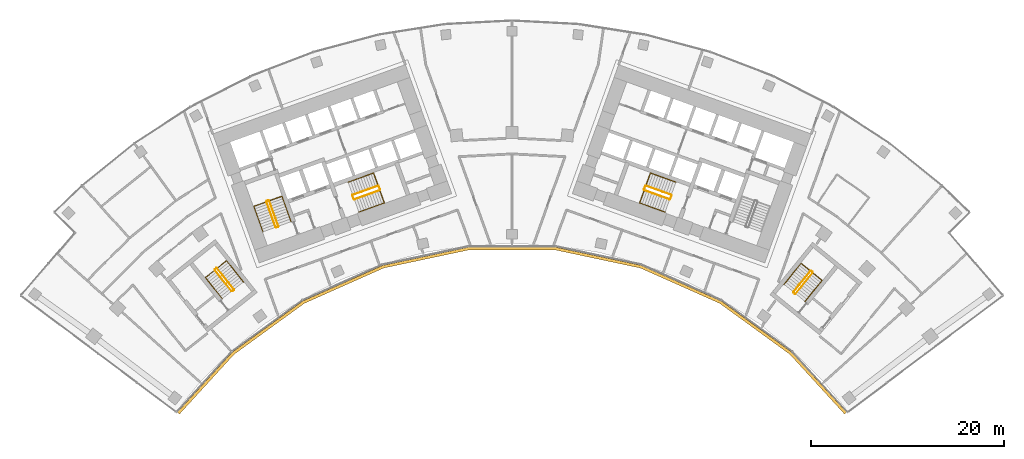
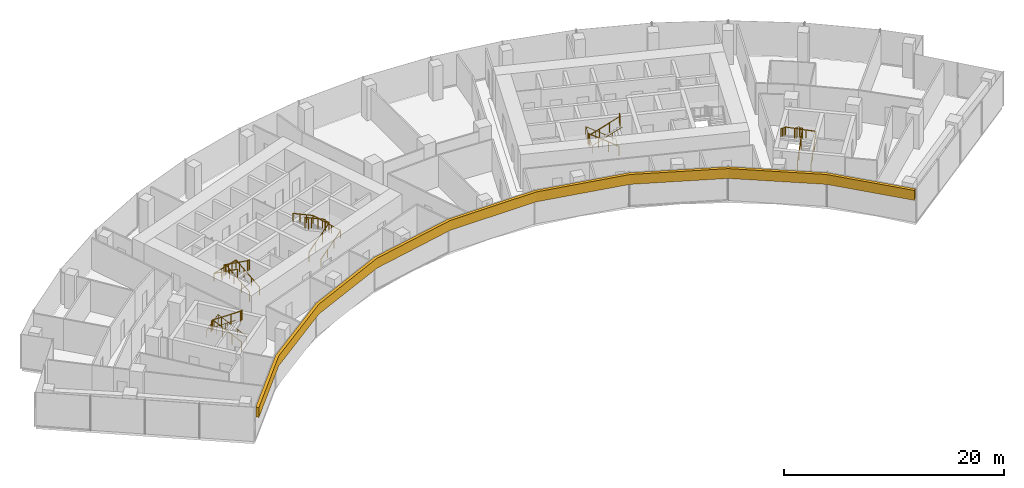
# One storey, part 19 of 20: 15 railings, 1 covering.
"""IFC4 building model written with IfcOpenShell, lengths in metres."""

import ifcopenshell
import ifcopenshell.guid

model = None  # the IFC model being written
_history = None  # IfcOwnerHistory: only IFC2X3 demands one
_inside = {}  # id of a spatial element -> (the spatial element, [elements in it])
_under = {}  # id of a project, library or spatial element -> (it, [spatial elements below it])
_declared = {}  # id of a project -> (the project, [libraries it declares])
_typed = {}  # id of a type object -> (the type object, [elements of that type])
_made_of = {}  # id of a material, layer set ... -> (it, [elements and type objects made of it])


def new_model(schema):
    """Start an empty IFC model of exactly this schema.

    Asked for "IFC4X3", IfcOpenShell would pick the latest addendum, in which some entities
    have other attributes; the version numbers below select the first issue.
    IFC2X3 requires an IfcOwnerHistory on every rooted entity: one is made here for all.
    """
    global model, _history
    if schema == "IFC4X3":
        model = ifcopenshell.file(schema_version=(4, 3, 0, 0))
    else:
        model = ifcopenshell.file(schema=schema)
    _inside.clear()
    _under.clear()
    _declared.clear()
    _typed.clear()
    _made_of.clear()
    _history = None
    if model.schema == "IFC2X3":
        org = make("IfcOrganization", Name="unknown")
        user = make(
            "IfcPersonAndOrganization",
            ThePerson=make("IfcPerson", FamilyName="unknown"),
            TheOrganization=org,
        )
        app = make(
            "IfcApplication",
            ApplicationDeveloper=org,
            Version="unknown",
            ApplicationFullName="unknown",
            ApplicationIdentifier="unknown",
        )
        _history = make(
            "IfcOwnerHistory",
            OwningUser=user,
            OwningApplication=app,
            ChangeAction="ADDED",
            CreationDate=0,
        )
    return model


def make(cls, **values):
    """One entity of the class cls with the attributes given. An attribute that is None is left unset."""
    return model.create_entity(
        cls, **{name: value for name, value in values.items() if value is not None}
    )


def rooted(cls, **values):
    """An entity with a GlobalId (a new one), such as an element, a storey or a relation."""
    return make(cls, GlobalId=ifcopenshell.guid.new(), OwnerHistory=_history, **values)


def si_unit(unit_type, name, prefix=None):
    """IfcSIUnit, for example si_unit("LENGTHUNIT", "METRE", prefix="MILLI")."""
    return make("IfcSIUnit", UnitType=unit_type, Prefix=prefix, Name=name)


def assignment(units):
    """IfcUnitAssignment: the units of a project."""
    return None if units is None else make("IfcUnitAssignment", Units=units)


def point(xyz):
    """IfcCartesianPoint."""
    return None if xyz is None else make("IfcCartesianPoint", Coordinates=xyz)


def direction(xyz):
    """IfcDirection."""
    return None if xyz is None else make("IfcDirection", DirectionRatios=xyz)


def frame(location, z_axis=None, x_axis=None):
    """IfcAxis2Placement3D, a coordinate frame: its origin and axes. An axis left out is left unset."""
    return make(
        "IfcAxis2Placement3D",
        Location=point(location),
        Axis=direction(z_axis),
        RefDirection=direction(x_axis),
    )


def frame_2d(location, x_axis=None):
    """IfcAxis2Placement2D, a coordinate frame in the plane: its origin and x axis."""
    return make(
        "IfcAxis2Placement2D", Location=point(location), RefDirection=direction(x_axis)
    )


def origin():
    """The frame at (0, 0, 0) with its axes left unset."""
    return frame((0.0, 0.0, 0.0))


def origin_2d():
    """The frame at (0, 0) in the plane with its x axis left unset."""
    return frame_2d((0.0, 0.0))


def place(relative_to, where):
    """IfcLocalPlacement: puts the frame where relative to a parent placement (None: the world)."""
    return make(
        "IfcLocalPlacement", PlacementRelTo=relative_to, RelativePlacement=where
    )


def context(
    kind, dimensions, precision=None, world=None, true_north=None, identifier=None
):
    """IfcGeometricRepresentationContext, for example the 3D "Model" context."""
    return make(
        "IfcGeometricRepresentationContext",
        ContextIdentifier=identifier,
        ContextType=kind,
        CoordinateSpaceDimension=dimensions,
        Precision=precision,
        WorldCoordinateSystem=world,
        TrueNorth=true_north,
    )


def subcontext(parent, identifier, kind, view, scale=None):
    """IfcGeometricRepresentationSubContext, for example "Body" below "Model"."""
    return make(
        "IfcGeometricRepresentationSubContext",
        ContextIdentifier=identifier,
        ContextType=kind,
        ParentContext=parent,
        TargetScale=scale,
        TargetView=view,
    )


def project(units=None, contexts=None):
    """IfcProject with its units and contexts."""
    return rooted(
        "IfcProject",
        Name="project",
        RepresentationContexts=contexts,
        UnitsInContext=assignment(units),
    )


def spatial(cls, under=None, at=None, **own):
    """A site, building, storey or space (cls), placed at a placement, below another one or the project."""
    s = rooted(cls, ObjectPlacement=at, **own)
    if under is not None:
        _under.setdefault(under.id(), (under, []))[1].append(s)
    return s


def polyline(points):
    """IfcPolyline through the points."""
    return make("IfcPolyline", Points=[point(p) for p in points])


def profile(cls, at=None, kind="AREA", **sizes):
    """A parametric profile (cls). Its sizes go by their IFC names, for example OverallWidth=200.0."""
    return make(cls, ProfileType=kind, Position=at, **sizes)


def circle(**sizes):
    """IfcCircleProfileDef."""
    return profile("IfcCircleProfileDef", **sizes)


def outline(outer, holes=None, kind="AREA"):
    """IfcArbitraryClosedProfileDef: a profile drawn as a closed curve; with holes, ...WithVoids."""
    if holes is None:
        return make("IfcArbitraryClosedProfileDef", ProfileType=kind, OuterCurve=outer)
    return make(
        "IfcArbitraryProfileDefWithVoids",
        ProfileType=kind,
        OuterCurve=outer,
        InnerCurves=holes,
    )


def extrude(swept, where, along, depth):
    """IfcExtrudedAreaSolid: the profile swept, set in the frame where, extruded along a direction by depth."""
    return make(
        "IfcExtrudedAreaSolid",
        SweptArea=swept,
        Position=where,
        ExtrudedDirection=direction(along),
        Depth=depth,
    )


def shape(context_of_items, identifier, shape_type, items):
    """IfcShapeRepresentation: the items that make up one representation, for example the "Body"."""
    return make(
        "IfcShapeRepresentation",
        ContextOfItems=context_of_items,
        RepresentationIdentifier=identifier,
        RepresentationType=shape_type,
        Items=items,
    )


def material(Name=None, Category=None):
    """IfcMaterial."""
    return make("IfcMaterial", Name=Name, Category=Category)


def layer(
    of_material, thickness, ventilated=None, Name=None, Category=None, Priority=None
):
    """IfcMaterialLayer: one layer of a wall or slab, of a material (None: an air gap)."""
    return make(
        "IfcMaterialLayer",
        Material=of_material,
        LayerThickness=thickness,
        IsVentilated=ventilated,
        Name=Name,
        Category=Category,
        Priority=Priority,
    )


def layer_set(layers, Name=None):
    """IfcMaterialLayerSet."""
    return make("IfcMaterialLayerSet", MaterialLayers=layers, LayerSetName=Name)


def made_of(thing, what):
    """Note that an element or type object is made of a material, layer set ...; save() writes the relation."""
    if what is not None:
        _made_of.setdefault(what.id(), (what, []))[1].append(thing)
    return thing


def type_object(cls, material=None, **own):
    """A type object (cls), such as IfcWallType, which elements share."""
    return made_of(rooted(cls, **own), material)


def element(
    cls,
    number,
    at=None,
    inside=None,
    cuts=None,
    type_object=None,
    material=None,
    context=None,
    identifier="Body",
    shape_type=None,
    held_by="IfcProductDefinitionShape",
    body=None,
    shapes=None,
    **own,
):
    """One element of the class cls, such as IfcWall. Its Tag is "e" and its number.

    at: its placement. inside: the storey or other place that contains it. cuts: it is an
    opening in that element (IfcRelVoidsElement). A single representation is given by context,
    identifier, shape_type and body (its items); several are given by shapes. held_by: the class
    of the entity that holds the representations. save() writes the other relations.
    """
    e = rooted(cls, Tag="e%d" % number, ObjectPlacement=at, **own)
    if body is not None:
        shapes = [shape(context, identifier, shape_type, body)]
    if shapes is not None:
        e.Representation = make(held_by, Representations=shapes)
    if inside is not None:
        _inside.setdefault(inside.id(), (inside, []))[1].append(e)
    if cuts is not None:
        rooted(
            "IfcRelVoidsElement", RelatingBuildingElement=cuts, RelatedOpeningElement=e
        )
    if type_object is not None:
        _typed.setdefault(type_object.id(), (type_object, []))[1].append(e)
    return made_of(e, material)


def aggregate(whole, parts):
    """IfcRelAggregates: a whole, such as a stair, and the parts it consists of."""
    return rooted("IfcRelAggregates", RelatingObject=whole, RelatedObjects=parts)


def save(model, path):
    """Write the relations noted so far, then the file.

    IfcRelAggregates (storeys below a building ...), IfcRelContainedInSpatialStructure (elements
    in a storey), IfcRelDefinesByType, IfcRelAssociatesMaterial and IfcRelDeclares: one each for
    every whole, place, type object, material and project.
    """
    for whole, parts in _under.values():
        aggregate(whole, parts)
    for where, things in _inside.values():
        rooted(
            "IfcRelContainedInSpatialStructure",
            RelatedElements=things,
            RelatingStructure=where,
        )
    for kind, things in _typed.values():
        rooted("IfcRelDefinesByType", RelatedObjects=things, RelatingType=kind)
    for what, things in _made_of.values():
        rooted("IfcRelAssociatesMaterial", RelatedObjects=things, RelatingMaterial=what)
    for by, libraries in _declared.values():
        rooted("IfcRelDeclares", RelatingContext=by, RelatedDefinitions=libraries)
    model.write(path)


model = new_model("IFC4")

# Units and contexts
model_context = context("Model", 3, precision=1e-05, world=origin(), true_north=direction((0.0, 1.0)))
body_context = subcontext(model_context, "Body", "Model", "MODEL_VIEW")
ifc_project = project(units=[si_unit("LENGTHUNIT", "METRE"), si_unit("AREAUNIT", "SQUARE_METRE"), si_unit("VOLUMEUNIT", "CUBIC_METRE"), si_unit("PLANEANGLEUNIT", "RADIAN"), si_unit("MASSUNIT", "GRAM", prefix="KILO")], contexts=[model_context])

# Site, building, storey
site_placement = place(None, origin())
site = spatial("IfcSite", under=ifc_project, at=site_placement, CompositionType="ELEMENT")
building_placement = place(site_placement, origin())
building = spatial("IfcBuilding", under=site, at=building_placement, Name="Stone Belt Terrace Tower", CompositionType="ELEMENT")
storey_placement = place(building_placement, frame((0.0, 0.0, 147.800048828125)))
storey = spatial("IfcBuildingStorey", under=building, at=storey_placement, Name="L35", CompositionType="ELEMENT", Elevation=147.800048828125)

# Railings
ifc_material_1 = material(Name="Structural steel C345", Category="steel")
railing_type_1 = type_object("IfcRailingType", Name="Stair guard 1100", PredefinedType="GUARDRAIL", material=ifc_material_1)
railing_1_placement = place(storey_placement, frame((-24.2119140625, 45.276123046875, 0.172607421875)))
element("IfcRailing", 1, at=railing_1_placement, inside=storey, type_object=railing_type_1, Name="L35 ST1A stair guard 1", PredefinedType="GUARDRAIL", context=body_context, shape_type="SweptSolid", body=[
    extrude(circle(Radius=0.02392578125, at=origin_2d()), frame((0.0, 0.0, 1.076171875), z_axis=(-0.288228637646, 0.800791768495, 0.525030280985), x_axis=(-0.940908529223, -0.338660803216, 0.0)), (0.0, 0.0, 1.0), 3.289794921875),
    extrude(circle(Radius=0.02392578125, at=origin_2d()), frame((-0.9482421875, 2.634521484375, 2.80322265625), z_axis=(-0.905209821074, 0.424964916, 0.0), x_axis=(-0.424964916, -0.905209821074, 0.0)), (0.0, 0.0, 1.0), 0.070556640625),
    extrude(circle(Radius=0.02392578125, at=origin_2d()), frame((-1.01220703125, 2.66455078125, 2.80322265625), z_axis=(-0.941105063269, -0.338114270461, 0.0), x_axis=(0.338114270461, -0.941105063269, 0.0)), (0.0, 0.0, 1.0), 0.199951171875),
    extrude(circle(Radius=0.02099609375, at=origin_2d()), origin(), (0.0, 0.0, 1.0), 1.052001953125),
    extrude(circle(Radius=0.02099609375, at=origin_2d()), frame((-0.316162109375, 0.878173828125, 0.57568359375)), (0.0, 0.0, 1.0), 1.052001953125),
    extrude(circle(Radius=0.02099609375, at=origin_2d()), frame((-0.632080078125, 1.75634765625, 1.151611328125)), (0.0, 0.0, 1.0), 1.052001953125),
    extrude(circle(Radius=0.02099609375, at=origin_2d()), frame((-0.9482421875, 2.634521484375, 1.727294921875)), (0.0, 0.0, 1.0), 1.052001953125),
    extrude(circle(Radius=0.02099609375, at=origin_2d()), frame((-1.01220703125, 2.66455078125, 1.727294921875)), (0.0, 0.0, 1.0), 1.052001953125),
    extrude(circle(Radius=0.02099609375, at=origin_2d()), frame((-1.200439453125, 2.596923828125, 1.727294921875)), (0.0, 0.0, 1.0), 1.052001953125),
])
railing_2_placement = place(storey_placement, frame((-25.4423828125, 47.80908203125, 2.07275390625)))
element("IfcRailing", 2, at=railing_2_placement, inside=storey, type_object=railing_type_1, Name="L35 ST1A stair guard 2", PredefinedType="GUARDRAIL", context=body_context, shape_type="SweptSolid", body=[
    extrude(circle(Radius=0.02392578125, at=origin_2d()), frame((0.0, 0.0, 1.076171875), z_axis=(0.288228637646, -0.800791768495, 0.525030280985), x_axis=(0.940908529223, 0.338660803216, 0.0)), (0.0, 0.0, 1.0), 3.289794921875),
    extrude(circle(Radius=0.02392578125, at=origin_2d()), frame((0.9482421875, -2.634521484375, 2.80322265625), z_axis=(0.903878284585, -0.427789722475, 0.0), x_axis=(0.427789722475, 0.903878284585, 0.0)), (0.0, 0.0, 1.0), 0.07080078125),
    extrude(circle(Radius=0.02392578125, at=origin_2d()), frame((1.01220703125, -2.664794921875, 2.80322265625), z_axis=(0.940575576748, 0.339584429008, 0.0), x_axis=(-0.339584429008, 0.940575576748, 0.0)), (0.0, 0.0, 1.0), 0.199951171875),
    extrude(circle(Radius=0.02099609375, at=origin_2d()), origin(), (0.0, 0.0, 1.0), 1.052001953125),
    extrude(circle(Radius=0.02099609375, at=origin_2d()), frame((0.316162109375, -0.878173828125, 0.57568359375)), (0.0, 0.0, 1.0), 1.052001953125),
    extrude(circle(Radius=0.02099609375, at=origin_2d()), frame((0.632080078125, -1.75634765625, 1.151611328125)), (0.0, 0.0, 1.0), 1.052001953125),
    extrude(circle(Radius=0.02099609375, at=origin_2d()), frame((0.9482421875, -2.634521484375, 1.727294921875)), (0.0, 0.0, 1.0), 1.052001953125),
    extrude(circle(Radius=0.02099609375, at=origin_2d()), frame((1.01220703125, -2.664794921875, 1.727294921875)), (0.0, 0.0, 1.0), 1.052001953125),
    extrude(circle(Radius=0.02099609375, at=origin_2d()), frame((1.2001953125, -2.596923828125, 1.727294921875)), (0.0, 0.0, 1.0), 1.052001953125),
])
railing_3_placement = place(storey_placement, frame((-16.33837890625, 48.056640625, 0.172607421875)))
element("IfcRailing", 3, at=railing_3_placement, inside=storey, type_object=railing_type_1, Name="L35 ST2A stair guard 1", PredefinedType="GUARDRAIL", context=body_context, shape_type="SweptSolid", body=[
    extrude(circle(Radius=0.02392578125, at=origin_2d()), frame((0.0, 0.0, 1.076171875), z_axis=(0.800808895155, 0.288160591223, 0.52504150989), x_axis=(-0.338583606334, 0.940936311087, 0.0)), (0.0, 0.0, 1.0), 3.289794921875),
    extrude(circle(Radius=0.02392578125, at=origin_2d()), frame((2.634521484375, 0.947998046875, 2.80322265625), z_axis=(0.427789722475, 0.903878284585, 0.0), x_axis=(-0.903878284585, 0.427789722475, 0.0)), (0.0, 0.0, 1.0), 0.07080078125),
    extrude(circle(Radius=0.02392578125, at=origin_2d()), frame((2.664794921875, 1.011962890625, 2.80322265625), z_axis=(-0.338654645739, 0.940910745459, 0.0), x_axis=(-0.940910745459, -0.338654645739, 0.0)), (0.0, 0.0, 1.0), 0.400146484375),
    extrude(circle(Radius=0.02099609375, at=origin_2d()), origin(), (0.0, 0.0, 1.0), 1.052001953125),
    extrude(circle(Radius=0.02099609375, at=origin_2d()), frame((0.878173828125, 0.31591796875, 0.57568359375)), (0.0, 0.0, 1.0), 1.052001953125),
    extrude(circle(Radius=0.02099609375, at=origin_2d()), frame((1.75634765625, 0.632080078125, 1.151611328125)), (0.0, 0.0, 1.0), 1.052001953125),
    extrude(circle(Radius=0.02099609375, at=origin_2d()), frame((2.634521484375, 0.947998046875, 1.727294921875)), (0.0, 0.0, 1.0), 1.052001953125),
    extrude(circle(Radius=0.02099609375, at=origin_2d()), frame((2.664794921875, 1.011962890625, 1.727294921875)), (0.0, 0.0, 1.0), 1.052001953125),
    extrude(circle(Radius=0.02099609375, at=origin_2d()), frame((2.529296875, 1.388427734375, 1.727294921875)), (0.0, 0.0, 1.0), 1.052001953125),
])
railing_4_placement = place(storey_placement, frame((-13.873046875, 49.47509765625, 2.07275390625)))
element("IfcRailing", 4, at=railing_4_placement, inside=storey, type_object=railing_type_1, Name="L35 ST2A stair guard 2", PredefinedType="GUARDRAIL", context=body_context, shape_type="SweptSolid", body=[
    extrude(circle(Radius=0.02392578125, at=origin_2d()), frame((0.0, 0.0, 1.076171875), z_axis=(-0.800808895155, -0.288160591223, 0.52504150989), x_axis=(0.338583606334, -0.940936311087, 0.0)), (0.0, 0.0, 1.0), 3.289794921875),
    extrude(circle(Radius=0.02392578125, at=origin_2d()), frame((-2.634521484375, -0.947998046875, 2.80322265625), z_axis=(-0.427789722475, -0.903878284585, 0.0), x_axis=(0.903878284585, -0.427789722475, 0.0)), (0.0, 0.0, 1.0), 0.07080078125),
    extrude(circle(Radius=0.02392578125, at=origin_2d()), frame((-2.664794921875, -1.011962890625, 2.80322265625), z_axis=(0.338654645739, -0.940910745459, 0.0), x_axis=(0.940910745459, 0.338654645739, 0.0)), (0.0, 0.0, 1.0), 0.400146484375),
    extrude(circle(Radius=0.02099609375, at=origin_2d()), origin(), (0.0, 0.0, 1.0), 1.052001953125),
    extrude(circle(Radius=0.02099609375, at=origin_2d()), frame((-0.878173828125, -0.31591796875, 0.57568359375)), (0.0, 0.0, 1.0), 1.052001953125),
    extrude(circle(Radius=0.02099609375, at=origin_2d()), frame((-1.75634765625, -0.632080078125, 1.151611328125)), (0.0, 0.0, 1.0), 1.052001953125),
    extrude(circle(Radius=0.02099609375, at=origin_2d()), frame((-2.634521484375, -0.947998046875, 1.727294921875)), (0.0, 0.0, 1.0), 1.052001953125),
    extrude(circle(Radius=0.02099609375, at=origin_2d()), frame((-2.664794921875, -1.011962890625, 1.727294921875)), (0.0, 0.0, 1.0), 1.052001953125),
    extrude(circle(Radius=0.02099609375, at=origin_2d()), frame((-2.529296875, -1.388427734375, 1.727294921875)), (0.0, 0.0, 1.0), 1.052001953125),
])
railing_5_placement = place(storey_placement, frame((16.507568359375, 48.527099609375, 0.172607421875)))
element("IfcRailing", 5, at=railing_5_placement, inside=storey, type_object=railing_type_1, Name="L35 ST2B stair guard 1", PredefinedType="GUARDRAIL", context=body_context, shape_type="SweptSolid", body=[
    extrude(circle(Radius=0.02392578125, at=origin_2d()), frame((0.0, 0.0, 1.076171875), z_axis=(-0.800808895155, 0.288160591223, 0.52504150989), x_axis=(-0.338583606334, -0.940936311087, 0.0)), (0.0, 0.0, 1.0), 3.289794921875),
    extrude(circle(Radius=0.02392578125, at=origin_2d()), frame((-2.634521484375, 0.947998046875, 2.80322265625), z_axis=(-0.905209821074, -0.424964916, 0.0), x_axis=(0.424964916, -0.905209821074, 0.0)), (0.0, 0.0, 1.0), 0.070556640625),
    extrude(circle(Radius=0.02392578125, at=origin_2d()), frame((-2.698486328125, 0.91796875, 2.80322265625), z_axis=(-0.338654645739, -0.940910745459, 0.0), x_axis=(0.940910745459, -0.338654645739, 0.0)), (0.0, 0.0, 1.0), 0.400146484375),
    extrude(circle(Radius=0.02099609375, at=origin_2d()), origin(), (0.0, 0.0, 1.0), 1.052001953125),
    extrude(circle(Radius=0.02099609375, at=origin_2d()), frame((-0.878173828125, 0.31591796875, 0.57568359375)), (0.0, 0.0, 1.0), 1.052001953125),
    extrude(circle(Radius=0.02099609375, at=origin_2d()), frame((-1.75634765625, 0.632080078125, 1.151611328125)), (0.0, 0.0, 1.0), 1.052001953125),
    extrude(circle(Radius=0.02099609375, at=origin_2d()), frame((-2.634521484375, 0.947998046875, 1.727294921875)), (0.0, 0.0, 1.0), 1.052001953125),
    extrude(circle(Radius=0.02099609375, at=origin_2d()), frame((-2.698486328125, 0.91796875, 1.727294921875)), (0.0, 0.0, 1.0), 1.052001953125),
    extrude(circle(Radius=0.02099609375, at=origin_2d()), frame((-2.833984375, 0.54150390625, 1.727294921875)), (0.0, 0.0, 1.0), 1.052001953125),
])
railing_6_placement = place(storey_placement, frame((13.703857421875, 49.004638671875, 2.07275390625)))
element("IfcRailing", 6, at=railing_6_placement, inside=storey, type_object=railing_type_1, Name="L35 ST2B stair guard 2", PredefinedType="GUARDRAIL", context=body_context, shape_type="SweptSolid", body=[
    extrude(circle(Radius=0.02392578125, at=origin_2d()), frame((0.0, 0.0, 1.076171875), z_axis=(0.800808895155, -0.288160591223, 0.52504150989), x_axis=(0.338583606334, 0.940936311087, 0.0)), (0.0, 0.0, 1.0), 3.289794921875),
    extrude(circle(Radius=0.02392578125, at=origin_2d()), frame((2.634521484375, -0.947998046875, 2.80322265625), z_axis=(0.905209821074, 0.424964916, 0.0), x_axis=(-0.424964916, 0.905209821074, 0.0)), (0.0, 0.0, 1.0), 0.070556640625),
    extrude(circle(Radius=0.02392578125, at=origin_2d()), frame((2.698486328125, -0.91796875, 2.80322265625), z_axis=(0.338654645739, 0.940910745459, 0.0), x_axis=(-0.940910745459, 0.338654645739, 0.0)), (0.0, 0.0, 1.0), 0.400146484375),
    extrude(circle(Radius=0.02099609375, at=origin_2d()), origin(), (0.0, 0.0, 1.0), 1.052001953125),
    extrude(circle(Radius=0.02099609375, at=origin_2d()), frame((0.878173828125, -0.31591796875, 0.57568359375)), (0.0, 0.0, 1.0), 1.052001953125),
    extrude(circle(Radius=0.02099609375, at=origin_2d()), frame((1.75634765625, -0.632080078125, 1.151611328125)), (0.0, 0.0, 1.0), 1.052001953125),
    extrude(circle(Radius=0.02099609375, at=origin_2d()), frame((2.634521484375, -0.947998046875, 1.727294921875)), (0.0, 0.0, 1.0), 1.052001953125),
    extrude(circle(Radius=0.02099609375, at=origin_2d()), frame((2.698486328125, -0.91796875, 1.727294921875)), (0.0, 0.0, 1.0), 1.052001953125),
    extrude(circle(Radius=0.02099609375, at=origin_2d()), frame((2.833984375, -0.54150390625, 1.727294921875)), (0.0, 0.0, 1.0), 1.052001953125),
])
railing_7_placement = place(storey_placement, frame((-28.814208984375, 38.734619140625, 0.172607421875)))
element("IfcRailing", 7, at=railing_7_placement, inside=storey, type_object=railing_type_1, Name="L35 ST3A stair guard 1", PredefinedType="GUARDRAIL", context=body_context, shape_type="SweptSolid", body=[
    extrude(circle(Radius=0.02392578125, at=origin_2d()), frame((0.0, 0.0, 1.076171875), z_axis=(-0.530306321799, 0.665665785969, 0.525037395288), x_axis=(-0.782143211408, -0.623098705543, 0.0)), (0.0, 0.0, 1.0), 3.289794921875),
    extrude(circle(Radius=0.02392578125, at=origin_2d()), frame((-1.74462890625, 2.18994140625, 2.80322265625), z_axis=(-0.993883734674, 0.110431526075, 0.0), x_axis=(-0.110431526075, -0.993883734674, 0.0)), (0.0, 0.0, 1.0), 0.07080078125),
    extrude(circle(Radius=0.02392578125, at=origin_2d()), frame((-1.81494140625, 2.19775390625, 2.80322265625), z_axis=(-0.782533463299, -0.622608527742, 0.0), x_axis=(0.622608527742, -0.782533463299, 0.0)), (0.0, 0.0, 1.0), 0.199951171875),
    extrude(circle(Radius=0.02099609375, at=origin_2d()), origin(), (0.0, 0.0, 1.0), 1.052001953125),
    extrude(circle(Radius=0.02099609375, at=origin_2d()), frame((-0.58154296875, 0.72998046875, 0.57568359375)), (0.0, 0.0, 1.0), 1.052001953125),
    extrude(circle(Radius=0.02099609375, at=origin_2d()), frame((-1.1630859375, 1.4599609375, 1.151611328125)), (0.0, 0.0, 1.0), 1.052001953125),
    extrude(circle(Radius=0.02099609375, at=origin_2d()), frame((-1.74462890625, 2.18994140625, 1.727294921875)), (0.0, 0.0, 1.0), 1.052001953125),
    extrude(circle(Radius=0.02099609375, at=origin_2d()), frame((-1.81494140625, 2.19775390625, 1.727294921875)), (0.0, 0.0, 1.0), 1.052001953125),
    extrude(circle(Radius=0.02099609375, at=origin_2d()), frame((-1.971435546875, 2.0732421875, 1.727294921875)), (0.0, 0.0, 1.0), 1.052001953125),
])
railing_8_placement = place(storey_placement, frame((-30.793701171875, 40.737548828125, 2.07275390625)))
element("IfcRailing", 8, at=railing_8_placement, inside=storey, type_object=railing_type_1, Name="L35 ST3A stair guard 2", PredefinedType="GUARDRAIL", context=body_context, shape_type="SweptSolid", body=[
    extrude(circle(Radius=0.02392578125, at=origin_2d()), frame((0.0, 0.0, 1.076171875), z_axis=(0.530359659125, -0.665639588968, 0.525016732659), x_axis=(0.782100716982, 0.62315204284, 0.0)), (0.0, 0.0, 1.0), 3.2900390625),
    extrude(circle(Radius=0.02392578125, at=origin_2d()), frame((1.744873046875, -2.18994140625, 2.80322265625), z_axis=(0.993499272973, -0.113838458361, 0.0), x_axis=(0.113838458361, 0.993499272973, 0.0)), (0.0, 0.0, 1.0), 0.07080078125),
    extrude(circle(Radius=0.02392578125, at=origin_2d()), frame((1.815185546875, -2.197998046875, 2.80322265625), z_axis=(0.781464082609, 0.623950228458, 0.0), x_axis=(-0.623950228458, 0.781464082609, 0.0)), (0.0, 0.0, 1.0), 0.199951171875),
    extrude(circle(Radius=0.02099609375, at=origin_2d()), origin(), (0.0, 0.0, 1.0), 1.052001953125),
    extrude(circle(Radius=0.02099609375, at=origin_2d()), frame((0.58154296875, -0.72998046875, 0.57568359375)), (0.0, 0.0, 1.0), 1.052001953125),
    extrude(circle(Radius=0.02099609375, at=origin_2d()), frame((1.163330078125, -1.4599609375, 1.151611328125)), (0.0, 0.0, 1.0), 1.052001953125),
    extrude(circle(Radius=0.02099609375, at=origin_2d()), frame((1.744873046875, -2.18994140625, 1.727294921875)), (0.0, 0.0, 1.0), 1.052001953125),
    extrude(circle(Radius=0.02099609375, at=origin_2d()), frame((1.815185546875, -2.197998046875, 1.727294921875)), (0.0, 0.0, 1.0), 1.052001953125),
    extrude(circle(Radius=0.02099609375, at=origin_2d()), frame((1.971435546875, -2.0732421875, 1.727294921875)), (0.0, 0.0, 1.0), 1.052001953125),
])
railing_9_placement = place(storey_placement, frame((29.39794921875, 38.281982421875, 0.172607421875)))
element("IfcRailing", 9, at=railing_9_placement, inside=storey, type_object=railing_type_1, Name="L35 ST3B stair guard 1", PredefinedType="GUARDRAIL", context=body_context, shape_type="SweptSolid", body=[
    extrude(circle(Radius=0.02392578125, at=origin_2d()), frame((0.0, 0.0, 1.076171875), z_axis=(0.536393061503, 0.660769759217, 0.525038864158), x_axis=(-0.776391310223, 0.630251166924, 0.0)), (0.0, 0.0, 1.0), 3.289794921875),
    extrude(circle(Radius=0.02392578125, at=origin_2d()), frame((1.7646484375, 2.173828125, 2.80322265625), z_axis=(-0.103251414163, 0.994655289773, 0.0), x_axis=(-0.994655289773, -0.103251414163, 0.0)), (0.0, 0.0, 1.0), 0.071044921875),
    extrude(circle(Radius=0.02392578125, at=origin_2d()), frame((1.75732421875, 2.244384765625, 2.80322265625), z_axis=(-0.776561986372, 0.630040856868, 0.0), x_axis=(-0.630040856868, -0.776561986372, 0.0)), (0.0, 0.0, 1.0), 0.199951171875),
    extrude(circle(Radius=0.02099609375, at=origin_2d()), origin(), (0.0, 0.0, 1.0), 1.052001953125),
    extrude(circle(Radius=0.02099609375, at=origin_2d()), frame((0.588134765625, 0.724609375, 0.57568359375)), (0.0, 0.0, 1.0), 1.052001953125),
    extrude(circle(Radius=0.02099609375, at=origin_2d()), frame((1.176513671875, 1.44921875, 1.151611328125)), (0.0, 0.0, 1.0), 1.052001953125),
    extrude(circle(Radius=0.02099609375, at=origin_2d()), frame((1.7646484375, 2.173828125, 1.727294921875)), (0.0, 0.0, 1.0), 1.052001953125),
    extrude(circle(Radius=0.02099609375, at=origin_2d()), frame((1.75732421875, 2.244384765625, 1.727294921875)), (0.0, 0.0, 1.0), 1.052001953125),
    extrude(circle(Radius=0.02099609375, at=origin_2d()), frame((1.60205078125, 2.370361328125, 1.727294921875)), (0.0, 0.0, 1.0), 1.052001953125),
])
railing_10_placement = place(storey_placement, frame((30.9296875, 40.64501953125, 2.07275390625)))
element("IfcRailing", 10, at=railing_10_placement, inside=storey, type_object=railing_type_1, Name="L35 ST3B stair guard 2", PredefinedType="GUARDRAIL", context=body_context, shape_type="SweptSolid", body=[
    extrude(circle(Radius=0.02392578125, at=origin_2d()), frame((0.0, 0.0, 1.076171875), z_axis=(-0.536366759382, -0.660811565066, 0.525013118792), x_axis=(0.776425942316, -0.630208502084, 0.0)), (0.0, 0.0, 1.0), 3.2900390625),
    extrude(circle(Radius=0.02392578125, at=origin_2d()), frame((-1.7646484375, -2.174072265625, 2.80322265625), z_axis=(0.103606084259, -0.994618408891, 0.0), x_axis=(0.994618408891, 0.103606084259, 0.0)), (0.0, 0.0, 1.0), 0.07080078125),
    extrude(circle(Radius=0.02392578125, at=origin_2d()), frame((-1.75732421875, -2.244384765625, 2.80322265625), z_axis=(0.776561986372, -0.630040856868, 0.0), x_axis=(0.630040856868, 0.776561986372, 0.0)), (0.0, 0.0, 1.0), 0.199951171875),
    extrude(circle(Radius=0.02099609375, at=origin_2d()), origin(), (0.0, 0.0, 1.0), 1.052001953125),
    extrude(circle(Radius=0.02099609375, at=origin_2d()), frame((-0.588134765625, -0.724609375, 0.57568359375)), (0.0, 0.0, 1.0), 1.052001953125),
    extrude(circle(Radius=0.02099609375, at=origin_2d()), frame((-1.176513671875, -1.449462890625, 1.151611328125)), (0.0, 0.0, 1.0), 1.052001953125),
    extrude(circle(Radius=0.02099609375, at=origin_2d()), frame((-1.7646484375, -2.174072265625, 1.727294921875)), (0.0, 0.0, 1.0), 1.052001953125),
    extrude(circle(Radius=0.02099609375, at=origin_2d()), frame((-1.75732421875, -2.244384765625, 1.727294921875)), (0.0, 0.0, 1.0), 1.052001953125),
    extrude(circle(Radius=0.02099609375, at=origin_2d()), frame((-1.60205078125, -2.370361328125, 1.727294921875)), (0.0, 0.0, 1.0), 1.052001953125),
])
railing_type_2 = type_object("IfcRailingType", Name="Stair handrail 900", PredefinedType="HANDRAIL", material=ifc_material_1)
railing_11_placement = place(storey_placement, frame((-22.894775390625, 45.750244140625, 0.172607421875)))
element("IfcRailing", 11, at=railing_11_placement, inside=storey, type_object=railing_type_2, Name="L35 ST1A stair handrail 1", PredefinedType="HANDRAIL", context=body_context, shape_type="SweptSolid", body=[
    extrude(circle(Radius=0.02392578125, at=origin_2d()), frame((0.0, 0.0, 0.8759765625), z_axis=(-0.288160591223, 0.800808895155, 0.52504150989), x_axis=(-0.940936311087, -0.338583606334, 0.0)), (0.0, 0.0, 1.0), 3.289794921875),
    extrude(circle(Radius=0.02392578125, at=origin_2d()), frame((-0.947998046875, 2.634521484375, 2.60302734375), z_axis=(-0.939460408074, -0.338105101667, 0.055669398135), x_axis=(0.338630230244, -0.940919532779, 0.0)), (0.0, 0.0, 1.0), 3.10498046875),
    extrude(circle(Radius=0.02392578125, at=origin_2d()), frame((-3.864990234375, 1.584716796875, 2.77587890625), z_axis=(0.288228637646, -0.800791768495, 0.525030280985), x_axis=(0.940908529223, 0.338660803216, 0.0)), (0.0, 0.0, 1.0), 3.289794921875),
    extrude(circle(Radius=0.02099609375, at=origin_2d()), origin(), (0.0, 0.0, 1.0), 0.851806640625),
    extrude(circle(Radius=0.02099609375, at=origin_2d()), frame((-0.31591796875, 0.878173828125, 0.57568359375)), (0.0, 0.0, 1.0), 0.851806640625),
    extrude(circle(Radius=0.02099609375, at=origin_2d()), frame((-0.632080078125, 1.75634765625, 1.151611328125)), (0.0, 0.0, 1.0), 0.851806640625),
    extrude(circle(Radius=0.02099609375, at=origin_2d()), frame((-0.947998046875, 2.634521484375, 1.727294921875)), (0.0, 0.0, 1.0), 0.851806640625),
    extrude(circle(Radius=0.02099609375, at=origin_2d()), frame((-1.92041015625, 2.28466796875, 1.784912109375)), (0.0, 0.0, 1.0), 0.851806640625),
    extrude(circle(Radius=0.02099609375, at=origin_2d()), frame((-2.892578125, 1.9345703125, 1.842529296875)), (0.0, 0.0, 1.0), 0.851806640625),
    extrude(circle(Radius=0.02099609375, at=origin_2d()), frame((-3.864990234375, 1.584716796875, 1.900146484375)), (0.0, 0.0, 1.0), 0.851806640625),
    extrude(circle(Radius=0.02099609375, at=origin_2d()), frame((-3.548828125, 0.70654296875, 2.475830078125)), (0.0, 0.0, 1.0), 0.851806640625),
    extrude(circle(Radius=0.02099609375, at=origin_2d()), frame((-3.23291015625, -0.171630859375, 3.0517578125)), (0.0, 0.0, 1.0), 0.851806640625),
    extrude(circle(Radius=0.02099609375, at=origin_2d()), frame((-2.916748046875, -1.0498046875, 3.62744140625)), (0.0, 0.0, 1.0), 0.851806640625),
])
railing_12_placement = place(storey_placement, frame((-15.8642578125, 46.7392578125, 0.172607421875)))
element("IfcRailing", 12, at=railing_12_placement, inside=storey, type_object=railing_type_2, Name="L35 ST2A stair handrail 1", PredefinedType="HANDRAIL", context=body_context, shape_type="SweptSolid", body=[
    extrude(circle(Radius=0.02392578125, at=origin_2d()), frame((0.0, 0.0, 0.8759765625), z_axis=(0.800791768495, 0.288228637646, 0.525030280985), x_axis=(-0.338660803216, 0.940908529223, 0.0)), (0.0, 0.0, 1.0), 3.289794921875),
    extrude(circle(Radius=0.02392578125, at=origin_2d()), frame((2.634521484375, 0.9482421875, 2.60302734375), z_axis=(-0.338158948057, 0.939634149308, 0.052308615955), x_axis=(-0.940922302781, -0.338622533404, 0.0)), (0.0, 0.0, 1.0), 3.304443359375),
    extrude(circle(Radius=0.02392578125, at=origin_2d()), frame((1.51708984375, 4.05322265625, 2.77587890625), z_axis=(-0.800791768495, -0.288228637646, 0.525030280985), x_axis=(0.338660803216, -0.940908529223, 0.0)), (0.0, 0.0, 1.0), 3.289794921875),
    extrude(circle(Radius=0.02099609375, at=origin_2d()), origin(), (0.0, 0.0, 1.0), 0.851806640625),
    extrude(circle(Radius=0.02099609375, at=origin_2d()), frame((0.878173828125, 0.316162109375, 0.57568359375)), (0.0, 0.0, 1.0), 0.851806640625),
    extrude(circle(Radius=0.02099609375, at=origin_2d()), frame((1.75634765625, 0.632080078125, 1.151611328125)), (0.0, 0.0, 1.0), 0.851806640625),
    extrude(circle(Radius=0.02099609375, at=origin_2d()), frame((2.634521484375, 0.9482421875, 1.727294921875)), (0.0, 0.0, 1.0), 0.851806640625),
    extrude(circle(Radius=0.02099609375, at=origin_2d()), frame((2.261962890625, 1.983154296875, 1.784912109375)), (0.0, 0.0, 1.0), 0.851806640625),
    extrude(circle(Radius=0.02099609375, at=origin_2d()), frame((1.8896484375, 3.018310546875, 1.842529296875)), (0.0, 0.0, 1.0), 0.851806640625),
    extrude(circle(Radius=0.02099609375, at=origin_2d()), frame((1.51708984375, 4.05322265625, 1.900146484375)), (0.0, 0.0, 1.0), 0.851806640625),
    extrude(circle(Radius=0.02099609375, at=origin_2d()), frame((0.638916015625, 3.737060546875, 2.475830078125)), (0.0, 0.0, 1.0), 0.851806640625),
    extrude(circle(Radius=0.02099609375, at=origin_2d()), frame((-0.2392578125, 3.421142578125, 3.0517578125)), (0.0, 0.0, 1.0), 0.851806640625),
    extrude(circle(Radius=0.02099609375, at=origin_2d()), frame((-1.117431640625, 3.10498046875, 3.62744140625)), (0.0, 0.0, 1.0), 0.851806640625),
])
railing_13_placement = place(storey_placement, frame((16.981689453125, 49.84423828125, 0.172607421875)))
element("IfcRailing", 13, at=railing_13_placement, inside=storey, type_object=railing_type_2, Name="L35 ST2B stair handrail 1", PredefinedType="HANDRAIL", context=body_context, shape_type="SweptSolid", body=[
    extrude(circle(Radius=0.02392578125, at=origin_2d()), frame((0.0, 0.0, 0.8759765625), z_axis=(-0.800791768495, 0.288228637646, 0.525030280985), x_axis=(-0.338660803216, -0.940908529223, 0.0)), (0.0, 0.0, 1.0), 3.289794921875),
    extrude(circle(Radius=0.02392578125, at=origin_2d()), frame((-2.634521484375, 0.9482421875, 2.60302734375), z_axis=(-0.338158948057, -0.939634149308, 0.052308615955), x_axis=(0.940922302781, -0.338622533404, 0.0)), (0.0, 0.0, 1.0), 3.304443359375),
    extrude(circle(Radius=0.02392578125, at=origin_2d()), frame((-3.751953125, -2.15673828125, 2.77587890625), z_axis=(0.800791768495, -0.288228637646, 0.525030280985), x_axis=(0.338660803216, 0.940908529223, 0.0)), (0.0, 0.0, 1.0), 3.289794921875),
    extrude(circle(Radius=0.02099609375, at=origin_2d()), origin(), (0.0, 0.0, 1.0), 0.851806640625),
    extrude(circle(Radius=0.02099609375, at=origin_2d()), frame((-0.878173828125, 0.316162109375, 0.57568359375)), (0.0, 0.0, 1.0), 0.851806640625),
    extrude(circle(Radius=0.02099609375, at=origin_2d()), frame((-1.75634765625, 0.632080078125, 1.151611328125)), (0.0, 0.0, 1.0), 0.851806640625),
    extrude(circle(Radius=0.02099609375, at=origin_2d()), frame((-2.634521484375, 0.9482421875, 1.727294921875)), (0.0, 0.0, 1.0), 0.851806640625),
    extrude(circle(Radius=0.02099609375, at=origin_2d()), frame((-3.007080078125, -0.086669921875, 1.784912109375)), (0.0, 0.0, 1.0), 0.851806640625),
    extrude(circle(Radius=0.02099609375, at=origin_2d()), frame((-3.37939453125, -1.121826171875, 1.842529296875)), (0.0, 0.0, 1.0), 0.851806640625),
    extrude(circle(Radius=0.02099609375, at=origin_2d()), frame((-3.751953125, -2.15673828125, 1.900146484375)), (0.0, 0.0, 1.0), 0.851806640625),
    extrude(circle(Radius=0.02099609375, at=origin_2d()), frame((-2.873779296875, -2.472900390625, 2.475830078125)), (0.0, 0.0, 1.0), 0.851806640625),
    extrude(circle(Radius=0.02099609375, at=origin_2d()), frame((-1.99560546875, -2.788818359375, 3.0517578125)), (0.0, 0.0, 1.0), 0.851806640625),
    extrude(circle(Radius=0.02099609375, at=origin_2d()), frame((-1.117431640625, -3.10498046875, 3.62744140625)), (0.0, 0.0, 1.0), 0.851806640625),
])
railing_14_placement = place(storey_placement, frame((-27.836669921875, 39.513427734375, 0.172607421875)))
element("IfcRailing", 14, at=railing_14_placement, inside=storey, type_object=railing_type_2, Name="L35 ST3A stair handrail 1", PredefinedType="HANDRAIL", context=body_context, shape_type="SweptSolid", body=[
    extrude(circle(Radius=0.02392578125, at=origin_2d()), frame((0.0, 0.0, 0.8759765625), z_axis=(-0.530306321799, 0.665665785969, 0.525037395288), x_axis=(-0.782143211408, -0.623098705543, 0.0)), (0.0, 0.0, 1.0), 3.289794921875),
    extrude(circle(Radius=0.02392578125, at=origin_2d()), frame((-1.74462890625, 2.18994140625, 2.60302734375), z_axis=(-0.78065703189, -0.621914732429, 0.061617076765), x_axis=(0.623098705543, -0.782143211408, 0.0)), (0.0, 0.0, 1.0), 2.80517578125),
    extrude(circle(Radius=0.02392578125, at=origin_2d()), frame((-3.9345703125, 0.4453125, 2.77587890625), z_axis=(0.530306321799, -0.665665785969, 0.525037395288), x_axis=(0.782143211408, 0.623098705543, 0.0)), (0.0, 0.0, 1.0), 3.289794921875),
    extrude(circle(Radius=0.02099609375, at=origin_2d()), origin(), (0.0, 0.0, 1.0), 0.851806640625),
    extrude(circle(Radius=0.02099609375, at=origin_2d()), frame((-0.58154296875, 0.72998046875, 0.57568359375)), (0.0, 0.0, 1.0), 0.851806640625),
    extrude(circle(Radius=0.02099609375, at=origin_2d()), frame((-1.1630859375, 1.4599609375, 1.151611328125)), (0.0, 0.0, 1.0), 0.851806640625),
    extrude(circle(Radius=0.02099609375, at=origin_2d()), frame((-1.74462890625, 2.18994140625, 1.727294921875)), (0.0, 0.0, 1.0), 0.851806640625),
    extrude(circle(Radius=0.02099609375, at=origin_2d()), frame((-2.474609375, 1.6083984375, 1.784912109375)), (0.0, 0.0, 1.0), 0.851806640625),
    extrude(circle(Radius=0.02099609375, at=origin_2d()), frame((-3.20458984375, 1.02685546875, 1.842529296875)), (0.0, 0.0, 1.0), 0.851806640625),
    extrude(circle(Radius=0.02099609375, at=origin_2d()), frame((-3.9345703125, 0.4453125, 1.900146484375)), (0.0, 0.0, 1.0), 0.851806640625),
    extrude(circle(Radius=0.02099609375, at=origin_2d()), frame((-3.35302734375, -0.28466796875, 2.475830078125)), (0.0, 0.0, 1.0), 0.851806640625),
    extrude(circle(Radius=0.02099609375, at=origin_2d()), frame((-2.771484375, -1.0146484375, 3.0517578125)), (0.0, 0.0, 1.0), 0.851806640625),
    extrude(circle(Radius=0.02099609375, at=origin_2d()), frame((-2.18994140625, -1.74462890625, 3.62744140625)), (0.0, 0.0, 1.0), 0.851806640625),
])
railing_15_placement = place(storey_placement, frame((30.36865234375, 37.494140625, 0.172607421875)))
element("IfcRailing", 15, at=railing_15_placement, inside=storey, type_object=railing_type_2, Name="L35 ST3B stair handrail 1", PredefinedType="HANDRAIL", context=body_context, shape_type="SweptSolid", body=[
    extrude(circle(Radius=0.02392578125, at=origin_2d()), frame((0.0, 0.0, 0.8759765625), z_axis=(0.536366759382, 0.660811565066, 0.525013118792), x_axis=(-0.776425942316, 0.630208502084, 0.0)), (0.0, 0.0, 1.0), 3.2900390625),
    extrude(circle(Radius=0.02392578125, at=origin_2d()), frame((1.7646484375, 2.174072265625, 2.60302734375), z_axis=(-0.774950814199, 0.629011171817, 0.061613158501), x_axis=(-0.630208502084, -0.776425942316, 0.0)), (0.0, 0.0, 1.0), 2.805419921875),
    extrude(circle(Radius=0.02392578125, at=origin_2d()), frame((-0.409423828125, 3.938720703125, 2.77587890625), z_axis=(-0.536366759382, -0.660811565066, 0.525013118792), x_axis=(0.776425942316, -0.630208502084, 0.0)), (0.0, 0.0, 1.0), 3.2900390625),
    extrude(circle(Radius=0.02099609375, at=origin_2d()), origin(), (0.0, 0.0, 1.0), 0.851806640625),
    extrude(circle(Radius=0.02099609375, at=origin_2d()), frame((0.588134765625, 0.724609375, 0.57568359375)), (0.0, 0.0, 1.0), 0.851806640625),
    extrude(circle(Radius=0.02099609375, at=origin_2d()), frame((1.176513671875, 1.449462890625, 1.151611328125)), (0.0, 0.0, 1.0), 0.851806640625),
    extrude(circle(Radius=0.02099609375, at=origin_2d()), frame((1.7646484375, 2.174072265625, 1.727294921875)), (0.0, 0.0, 1.0), 0.851806640625),
    extrude(circle(Radius=0.02099609375, at=origin_2d()), frame((1.0400390625, 2.76220703125, 1.784912109375)), (0.0, 0.0, 1.0), 0.851806640625),
    extrude(circle(Radius=0.02099609375, at=origin_2d()), frame((0.315185546875, 3.3505859375, 1.842529296875)), (0.0, 0.0, 1.0), 0.851806640625),
    extrude(circle(Radius=0.02099609375, at=origin_2d()), frame((-0.409423828125, 3.938720703125, 1.900146484375)), (0.0, 0.0, 1.0), 0.851806640625),
    extrude(circle(Radius=0.02099609375, at=origin_2d()), frame((-0.99755859375, 3.214111328125, 2.475830078125)), (0.0, 0.0, 1.0), 0.851806640625),
    extrude(circle(Radius=0.02099609375, at=origin_2d()), frame((-1.5859375, 2.4892578125, 3.0517578125)), (0.0, 0.0, 1.0), 0.851806640625),
    extrude(circle(Radius=0.02099609375, at=origin_2d()), frame((-2.174072265625, 1.7646484375, 3.62744140625)), (0.0, 0.0, 1.0), 0.851806640625),
])

# Covering
ifc_material_2 = material(Name="Terracotta coloured glazed ceramic", Category="masonry")
ifc_layer = layer(ifc_material_2, 0.300048828125)
ifc_layer_set = layer_set([ifc_layer], Name="Terracotta spandrel band 300 x 1100")
covering_type = type_object("IfcCoveringType", Name="Terracotta spandrel band 300 x 1100", PredefinedType="CLADDING", material=ifc_layer_set)
covering_placement = place(storey_placement, frame((0.0, 0.0, 2.699951171875)))
element("IfcCovering", 16, at=covering_placement, inside=storey, type_object=covering_type, Name="BAND L35", PredefinedType="CLADDING", context=body_context, shape_type="SweptSolid", body=[
    extrude(outline(polyline([(-34.688720703125, 25.99951171875), (-29.0068359375, 32.21435546875), (-21.674560546875, 37.54150390625), (-13.395751953125, 41.2275390625), (-4.53125, 43.11181640625), (4.53125, 43.11181640625), (13.395751953125, 41.2275390625), (21.674560546875, 37.54150390625), (29.0068359375, 32.21435546875), (34.688720703125, 25.99951171875), (34.46728515625, 25.797119140625), (28.805908203125, 31.989501953125), (21.523681640625, 37.2802734375), (13.302490234375, 40.940673828125), (4.499755859375, 42.811767578125), (-4.499755859375, 42.811767578125), (-13.302490234375, 40.940673828125), (-21.523681640625, 37.2802734375), (-28.805908203125, 31.989501953125), (-34.46728515625, 25.797119140625), (-34.688720703125, 25.99951171875)])), origin(), (0.0, 0.0, 1.0), 1.10009765625),
])

save(model, "model.ifc")
